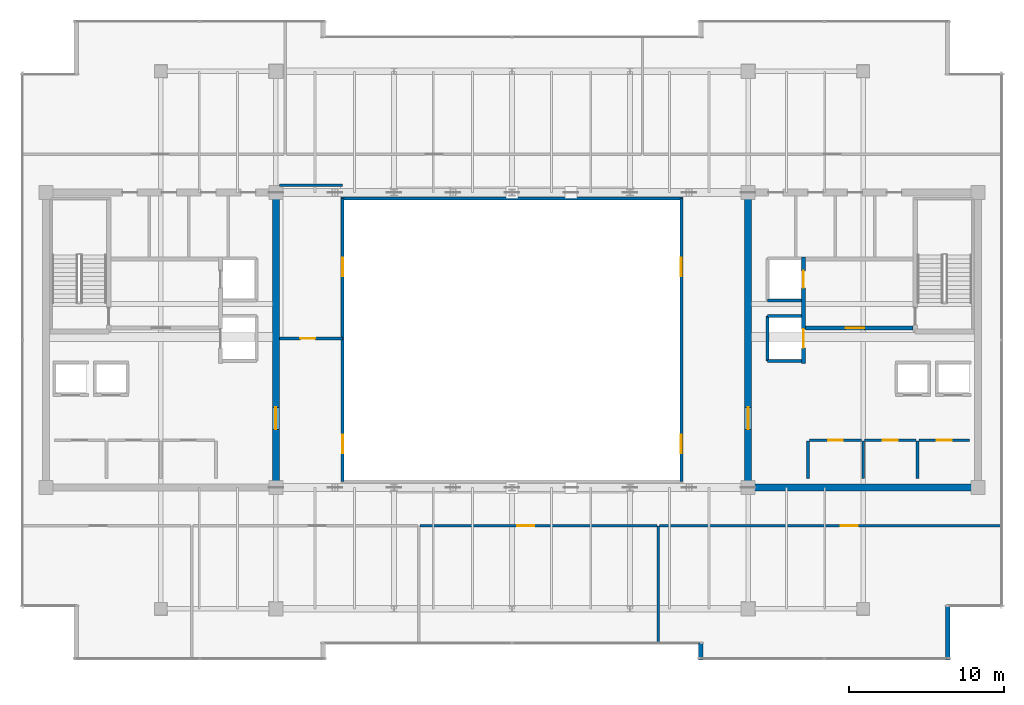
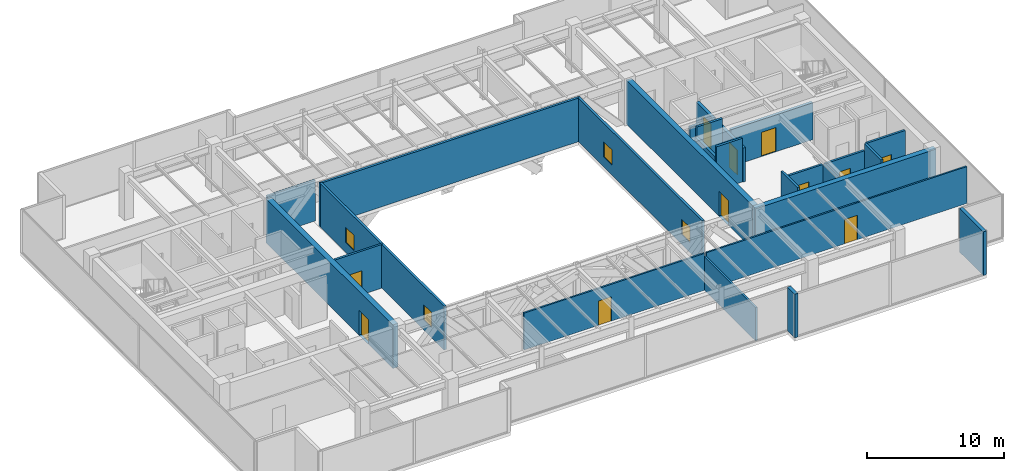
# One storey, part 27 of 32: 25 walls, 11 doors, 4 windows, 15 openings.
"""IFC4 building model written with IfcOpenShell, lengths in metres."""

from ifc_helpers import new_model, si_unit, direction, frame, frame_2d, origin, place, context, subcontext, project, spatial, rectangle, extrude, source, transform, mapped, material, layer, layer_set, type_object, type_shapes, element, fill, save


model = new_model("IFC4")

# Units and contexts
model_context = context("Model", 3, precision=1e-05, world=origin(), true_north=direction((0.0, 1.0)))
body_context = subcontext(model_context, "Body", "Model", "MODEL_VIEW")
ifc_project = project(units=[si_unit("LENGTHUNIT", "METRE"), si_unit("AREAUNIT", "SQUARE_METRE"), si_unit("VOLUMEUNIT", "CUBIC_METRE"), si_unit("PLANEANGLEUNIT", "RADIAN"), si_unit("MASSUNIT", "GRAM", prefix="KILO")], contexts=[model_context])

# Site, building, storey
site_placement = place(None, origin())
site = spatial("IfcSite", under=ifc_project, at=site_placement, CompositionType="ELEMENT")
building_placement = place(site_placement, origin())
building = spatial("IfcBuilding", under=site, at=building_placement, Name="Haelvirn Gate Laboratories", CompositionType="ELEMENT")
storey_placement = place(building_placement, frame((0.0, 0.0, 314.39990234375)))
storey = spatial("IfcBuildingStorey", under=building, at=storey_placement, Name="L75", CompositionType="ELEMENT", Elevation=314.39990234375)

# Walls
ifc_material_1 = material(Name="Thermally-broken bronze aluminium rainscreen & mineral wool", Category="aluminium")
ifc_layer_1 = layer(ifc_material_1, 0.280029296875, Name="EW-TERR-280")
ifc_layer_set_1 = layer_set([ifc_layer_1], Name="Thermally-broken bronze aluminium rainscreen & mineral wool")
wall_type_1 = type_object("IfcWallType", Name="EW-TERR-280", PredefinedType="STANDARD", material=ifc_layer_set_1)
wall_1_placement = place(storey_placement, frame((49.5400390625, 4.79296875, 0.0), z_axis=(0.0, 0.0, 1.0), x_axis=(0.0, -1.0, 0.0)))
element("IfcWall", 1, at=wall_1_placement, inside=storey, type_object=wall_type_1, Name="L75 Atrium Recess Bronze Return Wall 03", PredefinedType="STANDARD", context=body_context, shape_type="SweptSolid", body=[
    extrude(rectangle(XDim=1.093017578125, YDim=0.280029296875, at=frame_2d((0.54638671875, 0.0))), origin(), (0.0, 0.0, 1.0), 3.900146484375),
])
wall_2_placement = place(storey_placement, frame((65.4599609375, 3.699951171875, 0.0), z_axis=(0.0, 0.0, 1.0), x_axis=(0.0, 1.0, 0.0)))
element("IfcWall", 2, at=wall_2_placement, inside=storey, type_object=wall_type_1, Name="L75 Atrium Recess Bronze Return Wall 05", PredefinedType="STANDARD", context=body_context, shape_type="SweptSolid", body=[
    extrude(rectangle(XDim=3.488037109375, YDim=0.280029296875, at=frame_2d((1.744140625, 0.0))), origin(), (0.0, 0.0, 1.0), 3.900146484375),
])
ifc_material_2 = material(Name="Double-layer acoustic gypsum laboratory partition", Category="gypsum")
ifc_layer_2 = layer(ifc_material_2, 0.159912109375, Name="IW-ACOUST-160")
ifc_layer_set_2 = layer_set([ifc_layer_2], Name="Double-layer acoustic gypsum laboratory partition")
wall_type_2 = type_object("IfcWallType", Name="IW-ACOUST-160", PredefinedType="PARTITIONING", material=ifc_layer_set_2)
wall_3_placement = place(storey_placement, frame((46.800048828125, 4.81005859375, 0.0), z_axis=(0.0, 0.0, 1.0), x_axis=(0.0, 1.0, 0.0)))
element("IfcWall", 3, at=wall_3_placement, inside=storey, type_object=wall_type_2, Name="L75 Interior Wall IW-L75-SDIV-03", PredefinedType="PARTITIONING", context=body_context, shape_type="SweptSolid", body=[
    extrude(rectangle(XDim=7.530029296875, YDim=0.159912109375, at=frame_2d((3.76513671875, 0.0))), origin(), (0.0, 0.0, 1.0), 2.985107421875),
])
ifc_material_3 = material(Name="Fire-rated acoustic gypsum board partition", Category="gypsum")
ifc_layer_3 = layer(ifc_material_3, 0.175048828125, Name="IW-ACOUST-180")
ifc_layer_set_3 = layer_set([ifc_layer_3], Name="Fire-rated acoustic gypsum board partition")
wall_type_3 = type_object("IfcWallType", Name="IW-ACOUST-180", PredefinedType="PARTITIONING", material=ifc_layer_set_3)
wall_4_placement = place(storey_placement, frame((22.425048828125, 34.260009765625, 0.0), z_axis=(0.0, 0.0, 1.0), x_axis=(1.0, 0.0, 0.0)))
element("IfcWall", 4, at=wall_4_placement, inside=storey, type_object=wall_type_3, Name="L75 Interior Wall IW-L75-WPOD-N", PredefinedType="PARTITIONING", context=body_context, shape_type="SweptSolid", body=[
    extrude(rectangle(XDim=4.074951171875, YDim=0.175048828125, at=frame_2d((2.03759765625, 0.0))), origin(), (0.0, 0.0, 1.0), 3.635009765625),
])

# Wall, opening, door
wall_5_placement = place(storey_placement, frame((22.425048828125, 24.39990234375, 0.0), z_axis=(0.0, 0.0, 1.0), x_axis=(1.0, 0.0, 0.0)))
wall_5 = element("IfcWall", 5, at=wall_5_placement, inside=storey, type_object=wall_type_3, Name="L75 Interior Wall IW-L75-WPOD-S", PredefinedType="PARTITIONING", context=body_context, shape_type="SweptSolid", body=[
    extrude(rectangle(XDim=4.074951171875, YDim=0.175048828125, at=frame_2d((2.03759765625, 0.0))), origin(), (0.0, 0.0, 1.0), 3.900146484375),
])
opening_1_placement = place(wall_5_placement, frame((1.35009765625, 0.0, 0.0)))
opening_1 = element("IfcOpeningElement", 6, at=opening_1_placement, cuts=wall_5, Name="Opening FD4", PredefinedType="OPENING", context=body_context, shape_type="SweptSolid", body=[
    extrude(rectangle(XDim=0.949951171875, YDim=2.14990234375, at=frame_2d((0.47509765625, 1.074951171875))), frame((0.0, 0.09765625, 0.0), z_axis=(0.0, -1.0, 0.0), x_axis=(1.0, 0.0, 0.0)), (0.0, 0.0, 1.0), 0.195068359375),
])
ifc_material_4 = material(Name="Fire-rated steel SM355 core service door", Category="steel")
door_type_1 = type_object("IfcDoorType", Name="DR-FD-950", OperationType="NOTDEFINED", PredefinedType="DOOR", material=ifc_material_4)
shared_shape_1 = source(origin(), body_context, "Body", "SweptSolid", [
    extrude(rectangle(XDim=0.949951171875, YDim=2.14990234375, at=frame_2d((0.47509765625, 1.074951171875))), frame((0.0, 0.02490234375, 0.0), z_axis=(0.0, -1.0, 0.0), x_axis=(1.0, 0.0, 0.0)), (0.0, 0.0, 1.0), 0.050048828125),
])
type_shapes(door_type_1, [shared_shape_1])
door_1_placement = place(opening_1_placement, origin())
door_1 = element("IfcDoor", 7, at=door_1_placement, inside=storey, type_object=door_type_1, Name="L75 High-Zone Computational Suite Door", OperationType="SINGLE_SWING_RIGHT", OverallHeight=2.14990234375, OverallWidth=0.949951171875, PredefinedType="DOOR", context=body_context, shape_type="MappedRepresentation", body=[
    mapped(shared_shape_1, transform((0.0, 0.0, 0.0), scale=1.0)),
])
fill(opening_1, door_1)

# Wall, openings, windows
ifc_material_5 = material(Name="Tempered fire-rated borosilicate glass & anodised aluminium", Category="aluminium")
ifc_layer_4 = layer(ifc_material_5, 0.195068359375, Name="IW-GLAZ-200")
ifc_layer_set_4 = layer_set([ifc_layer_4], Name="Tempered fire-rated borosilicate glass & anodised aluminium")
wall_type_4 = type_object("IfcWallType", Name="IW-GLAZ-200", PredefinedType="SOLIDWALL", material=ifc_layer_set_4)
wall_6_placement = place(storey_placement, frame((26.5, 15.199951171875, 0.0), z_axis=(0.0, 0.0, 1.0), x_axis=(0.0, 1.0, 0.0)))
wall_6 = element("IfcWall", 8, at=wall_6_placement, inside=storey, type_object=wall_type_4, Name="L75 Interior Wall IW-L75-ATRIUM-W", PredefinedType="SOLIDWALL", context=body_context, shape_type="SweptSolid", body=[
    extrude(rectangle(XDim=18.199951171875, YDim=0.195068359375, at=frame_2d((9.10009765625, 0.0))), origin(), (0.0, 0.0, 1.0), 3.900146484375),
])
opening_2_placement = place(wall_6_placement, frame((1.800048828125, 0.0, 0.89990234375)))
opening_2 = element("IfcOpeningElement", 9, at=opening_2_placement, cuts=wall_6, Name="Opening W6", PredefinedType="OPENING", context=body_context, shape_type="SweptSolid", body=[
    extrude(rectangle(XDim=1.199951171875, YDim=1.35009765625, at=frame_2d((0.60009765625, 0.675048828125))), frame((0.0, 0.107421875, 0.0), z_axis=(0.0, -1.0, 0.0), x_axis=(1.0, 0.0, 0.0)), (0.0, 0.0, 1.0), 0.215087890625),
])
opening_3_placement = place(wall_6_placement, frame((13.199951171875, 0.0, 0.89990234375)))
opening_3 = element("IfcOpeningElement", 10, at=opening_3_placement, cuts=wall_6, Name="Opening W6", PredefinedType="OPENING", context=body_context, shape_type="SweptSolid", body=[
    extrude(rectangle(XDim=1.199951171875, YDim=1.35009765625, at=frame_2d((0.60009765625, 0.675048828125))), frame((0.0, 0.107421875, 0.0), z_axis=(0.0, -1.0, 0.0), x_axis=(1.0, 0.0, 0.0)), (0.0, 0.0, 1.0), 0.215087890625),
])
ifc_material_6 = material(Name="Fire-rated EI 120 borosilicate atrium vision glazing", Category="glass")
window_type = type_object("IfcWindowType", Name="WN-ATR-1200", PartitioningType="SINGLE_PANEL", PredefinedType="WINDOW", material=ifc_material_6)
shared_shape_2 = source(origin(), body_context, "Body", "SweptSolid", [
    extrude(rectangle(XDim=1.199951171875, YDim=1.35009765625, at=frame_2d((0.60009765625, 0.675048828125))), frame((0.0, 0.030029296875, 0.0), z_axis=(0.0, -1.0, 0.0), x_axis=(1.0, 0.0, 0.0)), (0.0, 0.0, 1.0), 0.06005859375),
])
type_shapes(window_type, [shared_shape_2])
window_1_placement = place(opening_2_placement, origin())
window_1 = element("IfcWindow", 11, at=window_1_placement, inside=storey, type_object=window_type, Name="L75 Atrium Observation Window 1", OverallHeight=1.35009765625, OverallWidth=1.199951171875, PartitioningType="SINGLE_PANEL", PredefinedType="WINDOW", context=body_context, shape_type="MappedRepresentation", body=[
    mapped(shared_shape_2, transform((0.0, 0.0, 0.0), scale=1.0)),
])
fill(opening_2, window_1)
window_2_placement = place(opening_3_placement, origin())
window_2 = element("IfcWindow", 12, at=window_2_placement, inside=storey, type_object=window_type, Name="L75 Atrium Observation Window 2", OverallHeight=1.35009765625, OverallWidth=1.199951171875, PartitioningType="SINGLE_PANEL", PredefinedType="WINDOW", context=body_context, shape_type="MappedRepresentation", body=[
    mapped(shared_shape_2, transform((0.0, 0.0, 0.0), scale=1.0)),
])
fill(opening_3, window_2)

wall_7_placement = place(storey_placement, frame((48.300048828125, 15.199951171875, 0.0), z_axis=(0.0, 0.0, 1.0), x_axis=(0.0, 1.0, 0.0)))
wall_7 = element("IfcWall", 13, at=wall_7_placement, inside=storey, type_object=wall_type_4, Name="L75 Interior Wall IW-L75-ATRIUM-E", PredefinedType="SOLIDWALL", context=body_context, shape_type="SweptSolid", body=[
    extrude(rectangle(XDim=18.199951171875, YDim=0.195068359375, at=frame_2d((9.10009765625, 0.0))), origin(), (0.0, 0.0, 1.0), 3.900146484375),
])
opening_4_placement = place(wall_7_placement, frame((1.800048828125, 0.0, 0.89990234375)))
opening_4 = element("IfcOpeningElement", 14, at=opening_4_placement, cuts=wall_7, Name="Opening W6", PredefinedType="OPENING", context=body_context, shape_type="SweptSolid", body=[
    extrude(rectangle(XDim=1.199951171875, YDim=1.35009765625, at=frame_2d((0.60009765625, 0.675048828125))), frame((0.0, 0.107421875, 0.0), z_axis=(0.0, -1.0, 0.0), x_axis=(1.0, 0.0, 0.0)), (0.0, 0.0, 1.0), 0.215087890625),
])
opening_5_placement = place(wall_7_placement, frame((13.199951171875, 0.0, 0.89990234375)))
opening_5 = element("IfcOpeningElement", 15, at=opening_5_placement, cuts=wall_7, Name="Opening W6", PredefinedType="OPENING", context=body_context, shape_type="SweptSolid", body=[
    extrude(rectangle(XDim=1.199951171875, YDim=1.35009765625, at=frame_2d((0.60009765625, 0.675048828125))), frame((0.0, 0.107421875, 0.0), z_axis=(0.0, -1.0, 0.0), x_axis=(1.0, 0.0, 0.0)), (0.0, 0.0, 1.0), 0.215087890625),
])
window_3_placement = place(opening_4_placement, origin())
window_3 = element("IfcWindow", 16, at=window_3_placement, inside=storey, type_object=window_type, Name="L75 Atrium Observation Window 1", OverallHeight=1.35009765625, OverallWidth=1.199951171875, PartitioningType="SINGLE_PANEL", PredefinedType="WINDOW", context=body_context, shape_type="MappedRepresentation", body=[
    mapped(shared_shape_2, transform((0.0, 0.0, 0.0), scale=1.0)),
])
fill(opening_4, window_3)
window_4_placement = place(opening_5_placement, origin())
window_4 = element("IfcWindow", 17, at=window_4_placement, inside=storey, type_object=window_type, Name="L75 Atrium Observation Window 2", OverallHeight=1.35009765625, OverallWidth=1.199951171875, PartitioningType="SINGLE_PANEL", PredefinedType="WINDOW", context=body_context, shape_type="MappedRepresentation", body=[
    mapped(shared_shape_2, transform((0.0, 0.0, 0.0), scale=1.0)),
])
fill(opening_5, window_4)

# Wall
wall_8_placement = place(storey_placement, frame((26.39990234375, 33.39990234375, 0.0), z_axis=(0.0, 0.0, 1.0), x_axis=(1.0, 0.0, 0.0)))
element("IfcWall", 18, at=wall_8_placement, inside=storey, type_object=wall_type_4, Name="L75 Interior Wall IW-L75-ATRIUM-N", PredefinedType="SOLIDWALL", context=body_context, shape_type="SweptSolid", body=[
    extrude(rectangle(XDim=22.0, YDim=0.195068359375, at=frame_2d((11.0, 0.0))), origin(), (0.0, 0.0, 1.0), 3.900146484375),
])

# Wall, opening, door
ifc_material_7 = material(Name="Acoustic mineral-wool gypsum board partition", Category="gypsum")
ifc_layer_5 = layer(ifc_material_7, 0.139892578125, Name="IW-PART-140")
ifc_layer_set_5 = layer_set([ifc_layer_5], Name="Acoustic mineral-wool gypsum board partition")
wall_type_5 = type_object("IfcWallType", Name="IW-PART-140", PredefinedType="PARTITIONING", material=ifc_layer_set_5)
wall_9_placement = place(storey_placement, frame((31.47998046875, 12.340087890625, 0.0), z_axis=(0.0, 0.0, 1.0), x_axis=(1.0, 0.0, 0.0)))
wall_9 = element("IfcWall", 19, at=wall_9_placement, inside=storey, type_object=wall_type_5, Name="L75 Interior Wall IW-L75-SCORR-03", PredefinedType="PARTITIONING", context=body_context, shape_type="SweptSolid", body=[
    extrude(rectangle(XDim=15.239990234375, YDim=0.139892578125, at=frame_2d((7.6201171875, 0.0))), origin(), (0.0, 0.0, 1.0), 3.297119140625),
])
opening_6_placement = place(wall_9_placement, frame((6.263671875, 0.0, 0.0)))
opening_6 = element("IfcOpeningElement", 20, at=opening_6_placement, cuts=wall_9, Name="Opening D1", PredefinedType="OPENING", context=body_context, shape_type="SweptSolid", body=[
    extrude(rectangle(XDim=1.10009765625, YDim=2.179931640625, at=frame_2d((0.550048828125, 1.08984375))), frame((0.0, 0.080078125, 0.0), z_axis=(0.0, -1.0, 0.0), x_axis=(1.0, 0.0, 0.0)), (0.0, 0.0, 1.0), 0.159912109375),
])
ifc_material_8 = material(Name="Vision-panel acoustic solid-core timber lab door", Category="wood")
door_type_2 = type_object("IfcDoorType", Name="DR-LAB-1100", OperationType="NOTDEFINED", PredefinedType="DOOR", material=ifc_material_8)
shared_shape_3 = source(origin(), body_context, "Body", "SweptSolid", [
    extrude(rectangle(XDim=1.10009765625, YDim=2.179931640625, at=frame_2d((0.550048828125, 1.08984375))), frame((0.0, 0.02490234375, 0.0), z_axis=(0.0, -1.0, 0.0), x_axis=(1.0, 0.0, 0.0)), (0.0, 0.0, 1.0), 0.050048828125),
])
type_shapes(door_type_2, [shared_shape_3])
door_2_placement = place(opening_6_placement, origin())
door_2 = element("IfcDoor", 21, at=door_2_placement, inside=storey, type_object=door_type_2, Name="L75 Peer-Review Seminar Room Door S3", OperationType="SINGLE_SWING_RIGHT", OverallHeight=2.179931640625, OverallWidth=1.10009765625, PredefinedType="DOOR", context=body_context, shape_type="MappedRepresentation", body=[
    mapped(shared_shape_3, transform((0.0, 0.0, 0.0), scale=1.0)),
])
fill(opening_6, door_2)

wall_10_placement = place(storey_placement, frame((46.8798828125, 12.340087890625, 0.0), z_axis=(0.0, 0.0, 1.0), x_axis=(1.0, 0.0, 0.0)))
wall_10 = element("IfcWall", 22, at=wall_10_placement, inside=storey, type_object=wall_type_5, Name="L75 Interior Wall IW-L75-SCORR-04", PredefinedType="PARTITIONING", context=body_context, shape_type="SweptSolid", body=[
    extrude(rectangle(XDim=22.010009765625, YDim=0.139892578125, at=frame_2d((11.0048828125, 0.0))), origin(), (0.0, 0.0, 1.0), 3.297119140625),
])
opening_7_placement = place(wall_10_placement, frame((11.66748046875, 0.0, 0.0)))
opening_7 = element("IfcOpeningElement", 23, at=opening_7_placement, cuts=wall_10, Name="Opening D1", PredefinedType="OPENING", context=body_context, shape_type="SweptSolid", body=[
    extrude(rectangle(XDim=1.10009765625, YDim=2.179931640625, at=frame_2d((0.550048828125, 1.08984375))), frame((0.0, 0.080078125, 0.0), z_axis=(0.0, -1.0, 0.0), x_axis=(1.0, 0.0, 0.0)), (0.0, 0.0, 1.0), 0.159912109375),
])
door_3_placement = place(opening_7_placement, origin())
door_3 = element("IfcDoor", 24, at=door_3_placement, inside=storey, type_object=door_type_2, Name="L75 Colloquium Conference Room Door S4", OperationType="SINGLE_SWING_LEFT", OverallHeight=2.179931640625, OverallWidth=1.10009765625, PredefinedType="DOOR", context=body_context, shape_type="MappedRepresentation", body=[
    mapped(shared_shape_3, transform((0.0, 0.0, 0.0), scale=1.0)),
])
fill(opening_7, door_3)

ifc_material_9 = material(Name="Concrete C40/50", Category="concrete")
ifc_layer_6 = layer(ifc_material_9, 0.179931640625, Name="IW-SHAFT-180")
ifc_layer_set_6 = layer_set([ifc_layer_6], Name="Concrete C40/50")
wall_type_6 = type_object("IfcWallType", Name="IW-SHAFT-180", PredefinedType="SOLIDWALL", material=ifc_layer_set_6)
wall_11_placement = place(storey_placement, frame((63.60009765625, 17.85009765625, 0.0), z_axis=(0.0, 0.0, 1.0), x_axis=(1.0, 0.0, 0.0)))
wall_11 = element("IfcWall", 25, at=wall_11_placement, inside=storey, type_object=wall_type_6, Name="L75 Interior Wall IW-L75-E-FREED-HN-1", PredefinedType="SOLIDWALL", context=body_context, shape_type="SweptSolid", body=[
    extrude(rectangle(XDim=3.25, YDim=0.179931640625, at=frame_2d((1.625, 0.0))), origin(), (0.0, 0.0, 1.0), 3.900146484375),
])
opening_8_placement = place(wall_11_placement, frame((1.14990234375, 0.0, 0.0)))
opening_8 = element("IfcOpeningElement", 26, at=opening_8_placement, cuts=wall_11, Name="Opening FD4", PredefinedType="OPENING", context=body_context, shape_type="SweptSolid", body=[
    extrude(rectangle(XDim=0.949951171875, YDim=2.14990234375, at=frame_2d((0.47509765625, 1.074951171875))), frame((0.0, 0.10009765625, 0.0), z_axis=(0.0, -1.0, 0.0), x_axis=(1.0, 0.0, 0.0)), (0.0, 0.0, 1.0), 0.199951171875),
])
door_4_placement = place(opening_8_placement, origin())
door_4 = element("IfcDoor", 27, at=door_4_placement, inside=storey, type_object=door_type_1, Name="L75 Autoclave Bio-Prep Room Door", OperationType="SINGLE_SWING_LEFT", OverallHeight=2.14990234375, OverallWidth=0.949951171875, PredefinedType="DOOR", context=body_context, shape_type="MappedRepresentation", body=[
    mapped(shared_shape_1, transform((0.0, 0.0, 0.0), scale=1.0)),
])
fill(opening_8, door_4)

# Wall
wall_12_placement = place(storey_placement, frame((63.510009765625, 15.39990234375, 0.0), z_axis=(0.0, 0.0, 1.0), x_axis=(0.0, 1.0, 0.0)))
element("IfcWall", 28, at=wall_12_placement, inside=storey, type_object=wall_type_6, Name="L75 Interior Wall IW-L75-E-FREED-HE-1", PredefinedType="SOLIDWALL", context=body_context, shape_type="SweptSolid", body=[
    extrude(rectangle(XDim=2.400146484375, YDim=0.179931640625, at=frame_2d((1.2001953125, 0.0))), origin(), (0.0, 0.0, 1.0), 3.900146484375),
])

# Wall, opening, door
wall_13_placement = place(storey_placement, frame((60.10009765625, 17.85009765625, 0.0), z_axis=(0.0, 0.0, 1.0), x_axis=(1.0, 0.0, 0.0)))
wall_13 = element("IfcWall", 29, at=wall_13_placement, inside=storey, type_object=wall_type_6, Name="L75 Interior Wall IW-L75-E-FREED-HN-2", PredefinedType="SOLIDWALL", context=body_context, shape_type="SweptSolid", body=[
    extrude(rectangle(XDim=3.2998046875, YDim=0.179931640625, at=frame_2d((1.64990234375, 0.0))), origin(), (0.0, 0.0, 1.0), 3.297119140625),
])
opening_9_placement = place(wall_13_placement, frame((1.175048828125, 0.0, 0.0)))
opening_9 = element("IfcOpeningElement", 30, at=opening_9_placement, cuts=wall_13, Name="Opening FD4", PredefinedType="OPENING", context=body_context, shape_type="SweptSolid", body=[
    extrude(rectangle(XDim=0.949951171875, YDim=2.14990234375, at=frame_2d((0.47509765625, 1.074951171875))), frame((0.0, 0.10009765625, 0.0), z_axis=(0.0, -1.0, 0.0), x_axis=(1.0, 0.0, 0.0)), (0.0, 0.0, 1.0), 0.199951171875),
])
door_5_placement = place(opening_9_placement, origin())
door_5 = element("IfcDoor", 31, at=door_5_placement, inside=storey, type_object=door_type_1, Name="L75 Telemetry Analytics Room Door", OperationType="SINGLE_SWING_RIGHT", OverallHeight=2.14990234375, OverallWidth=0.949951171875, PredefinedType="DOOR", context=body_context, shape_type="MappedRepresentation", body=[
    mapped(shared_shape_1, transform((0.0, 0.0, 0.0), scale=1.0)),
])
fill(opening_9, door_5)

# Wall
wall_14_placement = place(storey_placement, frame((60.010009765625, 15.39990234375, 0.0), z_axis=(0.0, 0.0, 1.0), x_axis=(0.0, 1.0, 0.0)))
element("IfcWall", 32, at=wall_14_placement, inside=storey, type_object=wall_type_6, Name="L75 Interior Wall IW-L75-E-FREED-HE-2", PredefinedType="SOLIDWALL", context=body_context, shape_type="SweptSolid", body=[
    extrude(rectangle(XDim=2.400146484375, YDim=0.179931640625, at=frame_2d((1.2001953125, 0.0))), origin(), (0.0, 0.0, 1.0), 3.297119140625),
])

# Wall, opening, door
wall_15_placement = place(storey_placement, frame((56.550048828125, 17.85009765625, 0.0), z_axis=(0.0, 0.0, 1.0), x_axis=(1.0, 0.0, 0.0)))
wall_15 = element("IfcWall", 33, at=wall_15_placement, inside=storey, type_object=wall_type_6, Name="L75 Interior Wall IW-L75-E-FREED-HN-3", PredefinedType="SOLIDWALL", context=body_context, shape_type="SweptSolid", body=[
    extrude(rectangle(XDim=3.349853515625, YDim=0.179931640625, at=frame_2d((1.6748046875, 0.0))), origin(), (0.0, 0.0, 1.0), 3.297119140625),
])
opening_10_placement = place(wall_15_placement, frame((1.199951171875, 0.0, 0.0)))
opening_10 = element("IfcOpeningElement", 34, at=opening_10_placement, cuts=wall_15, Name="Opening FD4", PredefinedType="OPENING", context=body_context, shape_type="SweptSolid", body=[
    extrude(rectangle(XDim=0.949951171875, YDim=2.14990234375, at=frame_2d((0.47509765625, 1.074951171875))), frame((0.0, 0.10009765625, 0.0), z_axis=(0.0, -1.0, 0.0), x_axis=(1.0, 0.0, 0.0)), (0.0, 0.0, 1.0), 0.199951171875),
])
door_6_placement = place(opening_10_placement, origin())
door_6 = element("IfcDoor", 35, at=door_6_placement, inside=storey, type_object=door_type_1, Name="L75 Calibration Metrology Room Door", OperationType="SINGLE_SWING_LEFT", OverallHeight=2.14990234375, OverallWidth=0.949951171875, PredefinedType="DOOR", context=body_context, shape_type="MappedRepresentation", body=[
    mapped(shared_shape_1, transform((0.0, 0.0, 0.0), scale=1.0)),
])
fill(opening_10, door_6)

# Walls
wall_16_placement = place(storey_placement, frame((56.4599609375, 15.39990234375, 0.0), z_axis=(0.0, 0.0, 1.0), x_axis=(0.0, 1.0, 0.0)))
element("IfcWall", 36, at=wall_16_placement, inside=storey, type_object=wall_type_6, Name="L75 Interior Wall IW-L75-E-FREED-HE-3", PredefinedType="SOLIDWALL", context=body_context, shape_type="SweptSolid", body=[
    extrude(rectangle(XDim=2.400146484375, YDim=0.179931640625, at=frame_2d((1.2001953125, 0.0))), origin(), (0.0, 0.0, 1.0), 3.900146484375),
])
ifc_layer_7 = layer(ifc_material_9, 0.199951171875, Name="IW-SHAFT-200")
ifc_layer_set_7 = layer_set([ifc_layer_7], Name="Concrete C40/50")
wall_type_7 = type_object("IfcWallType", Name="IW-SHAFT-200", PredefinedType="SOLIDWALL", material=ifc_layer_set_7)
wall_17_placement = place(storey_placement, frame((53.85009765625, 26.85009765625, 0.0), z_axis=(0.0, 0.0, 1.0), x_axis=(1.0, 0.0, 0.0)))
element("IfcWall", 37, at=wall_17_placement, inside=storey, type_object=wall_type_7, Name="L75 Interior Wall IW-L75-FL2-S", PredefinedType="SOLIDWALL", context=body_context, shape_type="SweptSolid", body=[
    extrude(rectangle(XDim=2.18994140625, YDim=0.199951171875, at=frame_2d((1.094970703125, 0.0))), origin(), (0.0, 0.0, 1.0), 3.297119140625),
])
wall_18_placement = place(storey_placement, frame((53.85009765625, 22.949951171875, 0.0), z_axis=(0.0, 0.0, 1.0), x_axis=(0.0, 1.0, 0.0)))
element("IfcWall", 38, at=wall_18_placement, inside=storey, type_object=wall_type_7, Name="L75 Interior Wall IW-L75-SL2-BK", PredefinedType="SOLIDWALL", context=body_context, shape_type="SweptSolid", body=[
    extrude(rectangle(XDim=2.900146484375, YDim=0.199951171875, at=frame_2d((1.4501953125, 0.0))), origin(), (0.0, 0.0, 1.0), 3.03515625),
])
for number, where, z_axis, x_axis, name in (
    (39, (53.85009765625, 25.85009765625, 0.0), (0.0, 0.0, 1.0), (1.0, 0.0, 0.0), "L75 Interior Wall IW-L75-SL2-N"),
    (40, (53.85009765625, 22.949951171875, 0.0), (0.0, 0.0, 1.0), (1.0, 0.0, 0.0), "L75 Interior Wall IW-L75-SL2-S"),
):
    element("IfcWall", number, at=place(storey_placement, frame(where, z_axis=z_axis, x_axis=x_axis)), inside=storey, type_object=wall_type_7, Name=name, PredefinedType="SOLIDWALL", context=body_context, shape_type="SweptSolid", body=[
        extrude(rectangle(XDim=2.18994140625, YDim=0.199951171875, at=frame_2d((1.094970703125, 0.0))), origin(), (0.0, 0.0, 1.0), 3.900146484375),
    ])

# Wall, opening, door
ifc_layer_8 = layer(ifc_material_9, 0.239990234375, Name="IW-SHAFT-240")
ifc_layer_set_8 = layer_set([ifc_layer_8], Name="Concrete C40/50")
wall_type_8 = type_object("IfcWallType", Name="IW-SHAFT-240", PredefinedType="SOLIDWALL", material=ifc_layer_set_8)
wall_19_placement = place(storey_placement, frame((56.280029296875, 25.080078125, 0.0), z_axis=(0.0, 0.0, 1.0), x_axis=(1.0, 0.0, 0.0)))
wall_19 = element("IfcWall", 41, at=wall_19_placement, inside=storey, type_object=wall_type_8, Name="L75 Interior Wall IW-L75-E-FF-S", PredefinedType="SOLIDWALL", context=body_context, shape_type="SweptSolid", body=[
    extrude(rectangle(XDim=6.919921875, YDim=0.239990234375, at=frame_2d((3.4599609375, 0.0))), origin(), (0.0, 0.0, 1.0), 3.297119140625),
])
opening_11_placement = place(wall_19_placement, frame((2.60009765625, 0.0, 0.0)))
opening_11 = element("IfcOpeningElement", 42, at=opening_11_placement, cuts=wall_19, Name="Opening FD2", PredefinedType="OPENING", context=body_context, shape_type="SweptSolid", body=[
    extrude(rectangle(XDim=1.199951171875, YDim=2.159912109375, at=frame_2d((0.60009765625, 1.080078125))), frame((0.0, 0.1298828125, 0.0), z_axis=(0.0, -1.0, 0.0), x_axis=(1.0, 0.0, 0.0)), (0.0, 0.0, 1.0), 0.260009765625),
])
ifc_material_10 = material(Name="Fire-rated steel SM355 compartment door", Category="steel")
door_type_3 = type_object("IfcDoorType", Name="DR-FD-1200", OperationType="NOTDEFINED", PredefinedType="DOOR", material=ifc_material_10)
shared_shape_4 = source(origin(), body_context, "Body", "SweptSolid", [
    extrude(rectangle(XDim=1.199951171875, YDim=2.159912109375, at=frame_2d((0.60009765625, 1.080078125))), frame((0.0, 0.02490234375, 0.0), z_axis=(0.0, -1.0, 0.0), x_axis=(1.0, 0.0, 0.0)), (0.0, 0.0, 1.0), 0.050048828125),
])
type_shapes(door_type_3, [shared_shape_4])
door_7_placement = place(opening_11_placement, origin())
door_7 = element("IfcDoor", 43, at=door_7_placement, inside=storey, type_object=door_type_3, Name="L75 East Firefighting Lobby Door", OperationType="SINGLE_SWING_LEFT", OverallHeight=2.159912109375, OverallWidth=1.199951171875, PredefinedType="DOOR", context=body_context, shape_type="MappedRepresentation", body=[
    mapped(shared_shape_4, transform((0.0, 0.0, 0.0), scale=1.0)),
])
fill(opening_11, door_7)

# Wall, openings, doors
wall_20_placement = place(storey_placement, frame((56.159912109375, 22.800048828125, 0.0), z_axis=(0.0, 0.0, 1.0), x_axis=(0.0, 1.0, 0.0)))
wall_20 = element("IfcWall", 44, at=wall_20_placement, inside=storey, type_object=wall_type_8, Name="L75 Interior Wall IW-L75-E-FF-E", PredefinedType="SOLIDWALL", context=body_context, shape_type="SweptSolid", body=[
    extrude(rectangle(XDim=6.849853515625, YDim=0.239990234375, at=frame_2d((3.4248046875, 0.0))), origin(), (0.0, 0.0, 1.0), 3.03515625),
])
opening_12_placement = place(wall_20_placement, frame((4.85009765625, 0.0, 0.0)))
opening_12 = element("IfcOpeningElement", 45, at=opening_12_placement, cuts=wall_20, Name="Opening LD2", PredefinedType="OPENING", context=body_context, shape_type="SweptSolid", body=[
    extrude(rectangle(XDim=1.10009765625, YDim=2.219970703125, at=frame_2d((0.550048828125, 1.10986328125))), frame((0.0, 0.1298828125, 0.0), z_axis=(0.0, -1.0, 0.0), x_axis=(1.0, 0.0, 0.0)), (0.0, 0.0, 1.0), 0.260009765625),
])
opening_13_placement = place(wall_20_placement, frame((1.0, 0.0, 0.0)))
opening_13 = element("IfcOpeningElement", 46, at=opening_13_placement, cuts=wall_20, Name="Opening LD1", PredefinedType="OPENING", context=body_context, shape_type="SweptSolid", body=[
    extrude(rectangle(XDim=1.199951171875, YDim=2.219970703125, at=frame_2d((0.60009765625, 1.10986328125))), frame((0.0, 0.1298828125, 0.0), z_axis=(0.0, -1.0, 0.0), x_axis=(1.0, 0.0, 0.0)), (0.0, 0.0, 1.0), 0.260009765625),
])
ifc_material_11 = material(Name="Bronze stainless 316L sliding lift landing door")
door_type_4 = type_object("IfcDoorType", Name="DR-LD-1100", OperationType="NOTDEFINED", PredefinedType="USERDEFINED", material=ifc_material_11)
shared_shape_5 = source(origin(), body_context, "Body", "SweptSolid", [
    extrude(rectangle(XDim=1.10009765625, YDim=2.219970703125, at=frame_2d((0.550048828125, 1.10986328125))), frame((0.0, 0.02490234375, 0.0), z_axis=(0.0, -1.0, 0.0), x_axis=(1.0, 0.0, 0.0)), (0.0, 0.0, 1.0), 0.050048828125),
])
type_shapes(door_type_4, [shared_shape_5])
door_8_placement = place(opening_12_placement, origin())
door_8 = element("IfcDoor", 47, at=door_8_placement, inside=storey, type_object=door_type_4, Name="L75 Firefighting Lift FL2 Landing Door", ObjectType="LANDING_DOOR", OperationType="SLIDING_TO_RIGHT", OverallHeight=2.219970703125, OverallWidth=1.10009765625, PredefinedType="USERDEFINED", context=body_context, shape_type="MappedRepresentation", body=[
    mapped(shared_shape_5, transform((0.0, 0.0, 0.0), scale=1.0)),
])
fill(opening_12, door_8)
ifc_material_12 = material(Name="Stainless steel 316L sliding goods landing door", Category="steel")
door_type_5 = type_object("IfcDoorType", Name="DR-LD-1200", OperationType="NOTDEFINED", PredefinedType="USERDEFINED", material=ifc_material_12)
shared_shape_6 = source(origin(), body_context, "Body", "SweptSolid", [
    extrude(rectangle(XDim=1.199951171875, YDim=2.219970703125, at=frame_2d((0.60009765625, 1.10986328125))), frame((0.0, 0.02490234375, 0.0), z_axis=(0.0, -1.0, 0.0), x_axis=(1.0, 0.0, 0.0)), (0.0, 0.0, 1.0), 0.050048828125),
])
type_shapes(door_type_5, [shared_shape_6])
door_9_placement = place(opening_13_placement, origin())
door_9 = element("IfcDoor", 48, at=door_9_placement, inside=storey, type_object=door_type_5, Name="L75 Service Lift SL2 Landing Door", ObjectType="LANDING_DOOR", OperationType="SLIDING_TO_LEFT", OverallHeight=2.219970703125, OverallWidth=1.199951171875, PredefinedType="USERDEFINED", context=body_context, shape_type="MappedRepresentation", body=[
    mapped(shared_shape_6, transform((0.0, 0.0, 0.0), scale=1.0)),
])
fill(opening_13, door_9)

# Wall, opening, door
ifc_material_13 = material(Name="Concrete C50/60", Category="concrete")
ifc_layer_9 = layer(ifc_material_13, 0.449951171875, Name="SW-CORE-450")
ifc_layer_set_9 = layer_set([ifc_layer_9], Name="Concrete C50/60")
wall_type_9 = type_object("IfcWallType", Name="SW-CORE-450", PredefinedType="SHEAR", material=ifc_layer_set_9)
wall_21_placement = place(storey_placement, frame((22.199951171875, 15.02490234375, 0.0), z_axis=(0.0, 0.0, 1.0), x_axis=(0.0, 1.0, 0.0)))
wall_21 = element("IfcWall", 49, at=wall_21_placement, inside=storey, type_object=wall_type_9, Name="L75 W Core Shear Wall E", PredefinedType="SHEAR", context=body_context, shape_type="SweptSolid", body=[
    extrude(rectangle(XDim=18.550048828125, YDim=0.449951171875, at=frame_2d((9.27490234375, 0.0))), origin(), (0.0, 0.0, 1.0), 3.900146484375),
])
opening_14_placement = place(wall_21_placement, frame((3.52490234375, 0.0, 0.0)))
opening_14 = element("IfcOpeningElement", 50, at=opening_14_placement, cuts=wall_21, Name="Opening FD1", PredefinedType="OPENING", context=body_context, shape_type="SweptSolid", body=[
    extrude(rectangle(XDim=1.419921875, YDim=2.199951171875, at=frame_2d((0.7099609375, 1.10009765625))), frame((0.0, 0.23486328125, 0.0), z_axis=(0.0, -1.0, 0.0), x_axis=(1.0, 0.0, 0.0)), (0.0, 0.0, 1.0), 0.469970703125),
])
ifc_material_14 = material(Name="Fire-rated double steel SM355 lobby door", Category="steel")
door_type_6 = type_object("IfcDoorType", Name="DR-FD-1400", OperationType="NOTDEFINED", PredefinedType="DOOR", material=ifc_material_14)
shared_shape_7 = source(origin(), body_context, "Body", "SweptSolid", [
    extrude(rectangle(XDim=1.419921875, YDim=2.199951171875, at=frame_2d((0.7099609375, 1.10009765625))), frame((0.0, 0.02490234375, 0.0), z_axis=(0.0, -1.0, 0.0), x_axis=(1.0, 0.0, 0.0)), (0.0, 0.0, 1.0), 0.050048828125),
])
type_shapes(door_type_6, [shared_shape_7])
door_10_placement = place(opening_14_placement, origin())
door_10 = element("IfcDoor", 51, at=door_10_placement, inside=storey, type_object=door_type_6, Name="L75 West Core Lift Lobby Fire Door", OperationType="DOUBLE_DOOR_SINGLE_SWING", OverallHeight=2.199951171875, OverallWidth=1.419921875, PredefinedType="DOOR", context=body_context, shape_type="MappedRepresentation", body=[
    mapped(shared_shape_7, transform((0.0, 0.0, 0.0), scale=1.0)),
])
fill(opening_14, door_10)

# Wall
wall_22_placement = place(storey_placement, frame((52.375, 14.800048828125, 0.0), z_axis=(0.0, 0.0, 1.0), x_axis=(1.0, 0.0, 0.0)))
element("IfcWall", 52, at=wall_22_placement, inside=storey, type_object=wall_type_9, Name="L75 E Core Shear Wall S", PredefinedType="SHEAR", context=body_context, shape_type="SweptSolid", body=[
    extrude(rectangle(XDim=15.25, YDim=0.449951171875, at=frame_2d((7.625, 0.0))), origin(), (0.0, 0.0, 1.0), 3.900146484375),
])

# Wall, opening, door
wall_23_placement = place(storey_placement, frame((52.60009765625, 15.02490234375, 0.0), z_axis=(0.0, 0.0, 1.0), x_axis=(0.0, 1.0, 0.0)))
wall_23 = element("IfcWall", 53, at=wall_23_placement, inside=storey, type_object=wall_type_9, Name="L75 E Core Shear Wall W", PredefinedType="SHEAR", context=body_context, shape_type="SweptSolid", body=[
    extrude(rectangle(XDim=18.550048828125, YDim=0.449951171875, at=frame_2d((9.27490234375, 0.0))), origin(), (0.0, 0.0, 1.0), 3.900146484375),
])
opening_15_placement = place(wall_23_placement, frame((3.52490234375, 0.0, 0.0)))
opening_15 = element("IfcOpeningElement", 54, at=opening_15_placement, cuts=wall_23, Name="Opening FD1", PredefinedType="OPENING", context=body_context, shape_type="SweptSolid", body=[
    extrude(rectangle(XDim=1.419921875, YDim=2.199951171875, at=frame_2d((0.7099609375, 1.10009765625))), frame((0.0, 0.23486328125, 0.0), z_axis=(0.0, -1.0, 0.0), x_axis=(1.0, 0.0, 0.0)), (0.0, 0.0, 1.0), 0.469970703125),
])
door_11_placement = place(opening_15_placement, origin())
door_11 = element("IfcDoor", 55, at=door_11_placement, inside=storey, type_object=door_type_6, Name="L75 East Core Lift Lobby Fire Door", OperationType="DOUBLE_DOOR_SINGLE_SWING", OverallHeight=2.199951171875, OverallWidth=1.419921875, PredefinedType="DOOR", context=body_context, shape_type="MappedRepresentation", body=[
    mapped(shared_shape_7, transform((0.0, 0.0, 0.0), scale=1.0)),
])
fill(opening_15, door_11)

save(model, "model.ifc")
